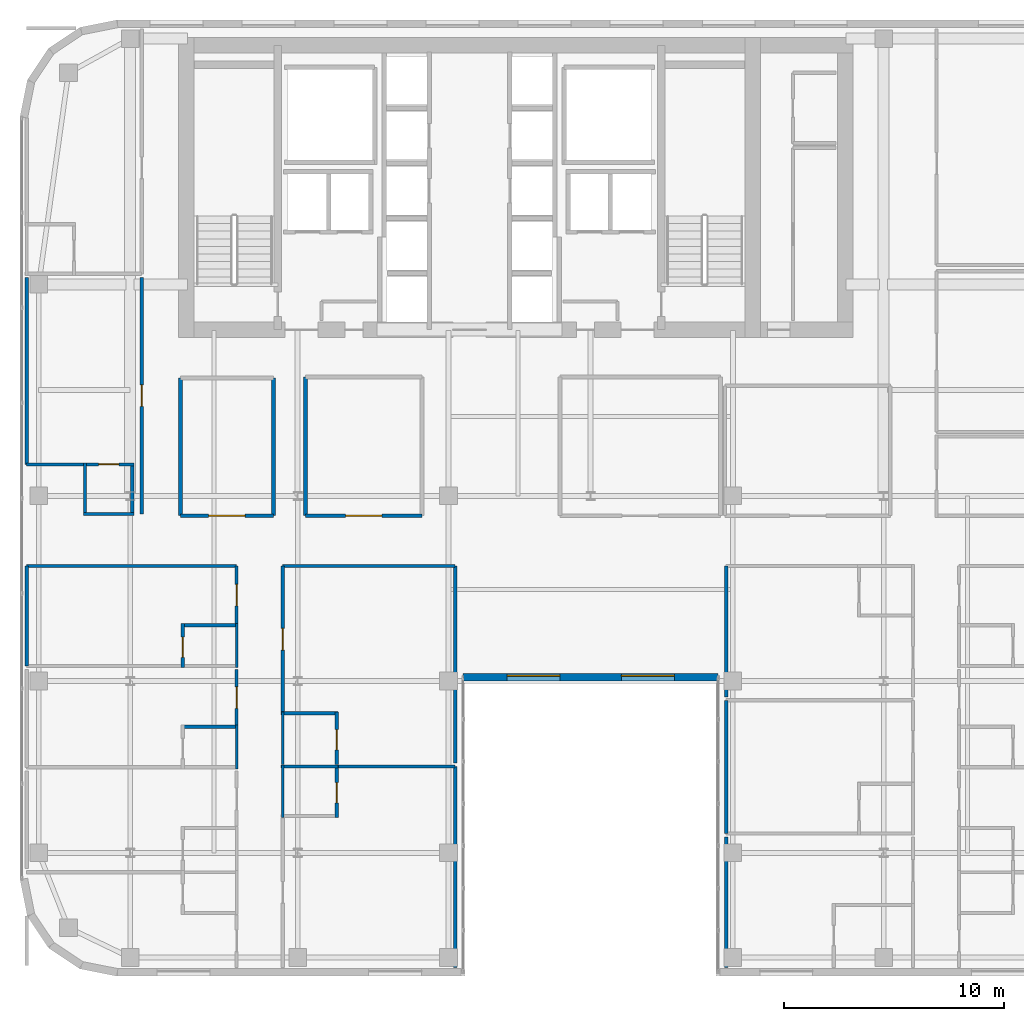
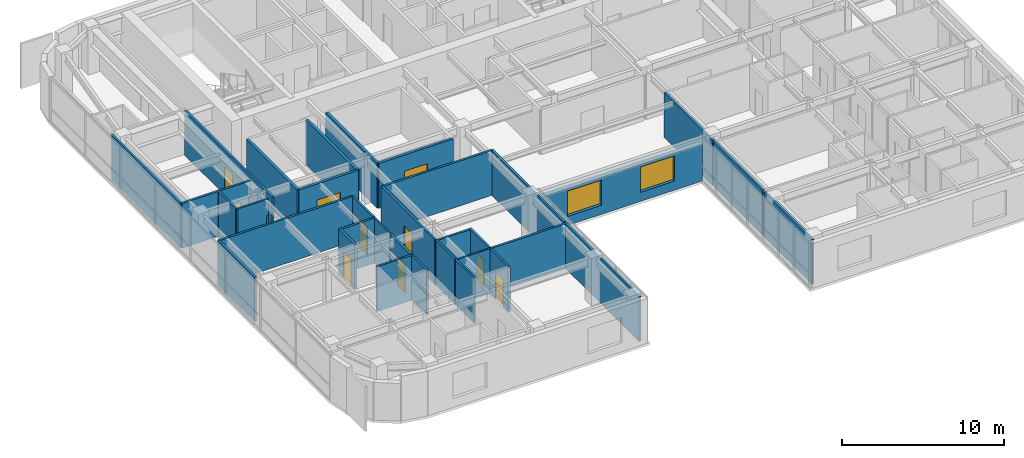
# One storey, part 18 of 24: 36 walls, 10 doors, 2 windows, 12 openings.
"""IFC4 building model written with IfcOpenShell, lengths in metres."""

from ifc_helpers import new_model, si_unit, direction, frame, frame_2d, origin, place, context, subcontext, project, spatial, rectangle, extrude, source, transform, mapped, material, layer, layer_set, type_object, type_shapes, element, fill, save


model = new_model("IFC4")

# Units and contexts
model_context = context("Model", 3, precision=1e-05, world=origin(), true_north=direction((0.0, 1.0)))
body_context = subcontext(model_context, "Body", "Model", "MODEL_VIEW")
ifc_project = project(units=[si_unit("LENGTHUNIT", "METRE"), si_unit("AREAUNIT", "SQUARE_METRE"), si_unit("VOLUMEUNIT", "CUBIC_METRE"), si_unit("PLANEANGLEUNIT", "RADIAN"), si_unit("MASSUNIT", "GRAM", prefix="KILO")], contexts=[model_context])

# Site, building, storey
site_placement = place(None, origin())
site = spatial("IfcSite", under=ifc_project, at=site_placement, CompositionType="ELEMENT")
building_placement = place(site_placement, origin())
building = spatial("IfcBuilding", under=site, at=building_placement, Name="Tolvann Quenvar Hotel", CompositionType="ELEMENT")
storey_placement = place(building_placement, frame((0.0, 0.0, 157.699951171875)))
storey = spatial("IfcBuildingStorey", under=building, at=storey_placement, Name="L41", CompositionType="ELEMENT", Elevation=157.699951171875)

# Wall, openings, windows
ifc_material_1 = material(Name="Kiln-fired red and buff architectural clay brickwork and terracotta masonry", Category="masonry")
ifc_layer_1 = layer(ifc_material_1, 0.35009765625)
ifc_layer_set_1 = layer_set([ifc_layer_1], Name="Kiln-fired red and buff architectural clay brickwork and terracotta masonry")
wall_type_1 = type_object("IfcWallType", Name="WALL_EXT_BRICK_350", PredefinedType="SOLIDWALL", material=ifc_layer_set_1)
wall_1_placement = place(storey_placement, frame((22.7099609375, 16.175048828125, 0.0), z_axis=(0.0, 0.0, 1.0), x_axis=(1.0, 0.0, 0.0)))
wall_1 = element("IfcWall", 1, at=wall_1_placement, inside=storey, type_object=wall_type_1, Name="Exterior Chicago Brick Wall L41-E06", PredefinedType="SOLIDWALL", context=body_context, shape_type="SweptSolid", body=[
    extrude(rectangle(XDim=11.580078125, YDim=0.35009765625, at=frame_2d((5.7900390625, 0.0))), origin(), (0.0, 0.0, 1.0), 2.758056640625),
])
opening_1_placement = place(wall_1_placement, frame((1.9951171875, 0.0, 0.679931640625)))
opening_1 = element("IfcOpeningElement", 2, at=opening_1_placement, cuts=wall_1, Name="Opening W-01", PredefinedType="OPENING", context=body_context, shape_type="SweptSolid", body=[
    extrude(rectangle(XDim=2.39990234375, YDim=1.89990234375, at=frame_2d((1.199951171875, 0.949951171875))), frame((0.0, 0.18505859375, 0.0), z_axis=(0.0, -1.0, 0.0), x_axis=(1.0, 0.0, 0.0)), (0.0, 0.0, 1.0), 0.3701171875),
])
opening_2_placement = place(wall_1_placement, frame((7.18505859375, 0.0, 0.679931640625)))
opening_2 = element("IfcOpeningElement", 3, at=opening_2_placement, cuts=wall_1, Name="Opening W-01", PredefinedType="OPENING", context=body_context, shape_type="SweptSolid", body=[
    extrude(rectangle(XDim=2.39990234375, YDim=1.89990234375, at=frame_2d((1.199951171875, 0.949951171875))), frame((0.0, 0.18505859375, 0.0), z_axis=(0.0, -1.0, 0.0), x_axis=(1.0, 0.0, 0.0)), (0.0, 0.0, 1.0), 0.3701171875),
])
ifc_material_2 = material(Name="Thermally broken bronze-anodised aluminium frame with double low-E glazing", Category="aluminium")
window_type = type_object("IfcWindowType", Name="WIN_CHI_2400x2050", PartitioningType="TRIPLE_PANEL_HORIZONTAL", PredefinedType="WINDOW", material=ifc_material_2)
shared_shape_1 = source(origin(), body_context, "Body", "SweptSolid", [
    extrude(rectangle(XDim=2.39990234375, YDim=1.89990234375, at=frame_2d((1.199951171875, 0.949951171875))), frame((0.0, 0.090087890625, 0.0), z_axis=(0.0, -1.0, 0.0), x_axis=(1.0, 0.0, 0.0)), (0.0, 0.0, 1.0), 0.06005859375),
])
type_shapes(window_type, [shared_shape_1])
window_1_placement = place(opening_1_placement, origin())
window_1 = element("IfcWindow", 4, at=window_1_placement, inside=storey, type_object=window_type, Name="Chicago Window W-01 (EW-L41-E06-W01)", OverallHeight=1.89990234375, OverallWidth=2.39990234375, PartitioningType="TRIPLE_PANEL_HORIZONTAL", PredefinedType="WINDOW", context=body_context, shape_type="MappedRepresentation", body=[
    mapped(shared_shape_1, transform((0.0, 0.0, 0.0), x_axis=(1.0, 0.0, 0.0), y_axis=(0.0, 1.0, 0.0), z_axis=(0.0, 0.0, 1.0), scale=1.0)),
])
fill(opening_1, window_1)
window_2_placement = place(opening_2_placement, origin())
window_2 = element("IfcWindow", 5, at=window_2_placement, inside=storey, type_object=window_type, Name="Chicago Window W-01 (EW-L41-E06-W02)", OverallHeight=1.89990234375, OverallWidth=2.39990234375, PartitioningType="TRIPLE_PANEL_HORIZONTAL", PredefinedType="WINDOW", context=body_context, shape_type="MappedRepresentation", body=[
    mapped(shared_shape_1, transform((0.0, 0.0, 0.0), x_axis=(1.0, 0.0, 0.0), y_axis=(0.0, 1.0, 0.0), z_axis=(0.0, 0.0, 1.0), scale=1.0)),
])
fill(opening_2, window_2)

# Wall, opening, door
ifc_material_3 = material(Name="Acoustic twin-stud fire-rated gypsum plasterboard partition")
ifc_layer_2 = layer(ifc_material_3, 0.179931640625)
ifc_layer_set_2 = layer_set([ifc_layer_2], Name="Acoustic twin-stud fire-rated gypsum plasterboard partition")
wall_type_2 = type_object("IfcWallType", Name="WALL_PART_ACOUSTIC_180", PredefinedType="PARTITIONING", material=ifc_layer_set_2)
wall_2_placement = place(storey_placement, frame((9.8798828125, 23.5, 0.0), z_axis=(0.0, 0.0, 1.0), x_axis=(1.0, 0.0, 0.0)))
wall_2 = element("IfcWall", 6, at=wall_2_placement, inside=storey, type_object=wall_type_2, Name="Interior Partition PT-SPC-L41-MSP-W-S", PredefinedType="PARTITIONING", context=body_context, shape_type="SweptSolid", body=[
    extrude(rectangle(XDim=4.22021484375, YDim=0.179931640625, at=frame_2d((2.110107421875, 0.0))), origin(), (0.0, 0.0, 1.0), 3.3701171875),
])
opening_3_placement = place(wall_2_placement, frame((1.284912109375, 0.0, 0.0)))
opening_3 = element("IfcOpeningElement", 7, at=opening_3_placement, cuts=wall_2, Name="Opening AD-01", PredefinedType="OPENING", context=body_context, shape_type="SweptSolid", body=[
    extrude(rectangle(XDim=1.64990234375, YDim=2.14990234375, at=frame_2d((0.824951171875, 1.074951171875))), frame((0.0, 0.10009765625, 0.0), z_axis=(0.0, -1.0, 0.0), x_axis=(1.0, 0.0, 0.0)), (0.0, 0.0, 1.0), 0.199951171875),
])
ifc_material_4 = material(Name="Solid-core American oak acoustic fire door leaf in steel frame", Category="steel")
door_type_1 = type_object("IfcDoorType", Name="DOOR_SALON_1650", OperationType="NOTDEFINED", PredefinedType="DOOR", material=ifc_material_4)
shared_shape_2 = source(origin(), body_context, "Body", "SweptSolid", [
    extrude(rectangle(XDim=1.64990234375, YDim=2.14990234375, at=frame_2d((0.824951171875, 1.074951171875))), frame((0.0, 0.02490234375, 0.0), z_axis=(0.0, -1.0, 0.0), x_axis=(1.0, 0.0, 0.0)), (0.0, 0.0, 1.0), 0.050048828125),
])
type_shapes(door_type_1, [shared_shape_2])
door_1_placement = place(opening_3_placement, origin())
door_1 = element("IfcDoor", 8, at=door_1_placement, inside=storey, type_object=door_type_1, Name="Interior Door DOOR-SPC-L41-MSP-W", OperationType="DOUBLE_DOOR_SINGLE_SWING", OverallHeight=2.14990234375, OverallWidth=1.64990234375, PredefinedType="DOOR", context=body_context, shape_type="MappedRepresentation", body=[
    mapped(shared_shape_2, transform((0.0, 0.0, 0.0), x_axis=(1.0, 0.0, 0.0), y_axis=(0.0, 1.0, 0.0), z_axis=(0.0, 0.0, 1.0), scale=1.0)),
])
fill(opening_3, door_1)

# Walls
for number, where, z_axis, x_axis, name in (
    (9, (9.8798828125, 23.5, 0.0), (0.0, 0.0, 1.0), (0.0, 1.0, 0.0), "Interior Partition PT-SPC-L41-MSP-W-W"),
    (10, (14.10009765625, 23.5, 0.0), (0.0, 0.0, 1.0), (0.0, 1.0, 0.0), "Interior Partition PT-SPC-L41-MSP-W-E"),
):
    element("IfcWall", number, at=place(storey_placement, frame(where, z_axis=z_axis, x_axis=x_axis)), inside=storey, type_object=wall_type_2, Name=name, PredefinedType="PARTITIONING", context=body_context, shape_type="SweptSolid", body=[
        extrude(rectangle(XDim=6.25, YDim=0.179931640625, at=frame_2d((3.125, 0.0))), origin(), (0.0, 0.0, 1.0), 3.3701171875),
    ])

# Wall, opening, door
wall_3_placement = place(storey_placement, frame((15.550048828125, 23.5, 0.0), z_axis=(0.0, 0.0, 1.0), x_axis=(1.0, 0.0, 0.0)))
wall_3 = element("IfcWall", 11, at=wall_3_placement, inside=storey, type_object=wall_type_2, Name="Interior Partition PT-SPC-L41-MSP-N-S", PredefinedType="PARTITIONING", context=body_context, shape_type="SweptSolid", body=[
    extrude(rectangle(XDim=5.300048828125, YDim=0.179931640625, at=frame_2d((2.64990234375, 0.0))), origin(), (0.0, 0.0, 1.0), 3.3701171875),
])
opening_4_placement = place(wall_3_placement, frame((1.824951171875, 0.0, 0.0)))
opening_4 = element("IfcOpeningElement", 12, at=opening_4_placement, cuts=wall_3, Name="Opening AD-01", PredefinedType="OPENING", context=body_context, shape_type="SweptSolid", body=[
    extrude(rectangle(XDim=1.64990234375, YDim=2.14990234375, at=frame_2d((0.824951171875, 1.074951171875))), frame((0.0, 0.10009765625, 0.0), z_axis=(0.0, -1.0, 0.0), x_axis=(1.0, 0.0, 0.0)), (0.0, 0.0, 1.0), 0.199951171875),
])
door_2_placement = place(opening_4_placement, origin())
door_2 = element("IfcDoor", 13, at=door_2_placement, inside=storey, type_object=door_type_1, Name="Interior Door DOOR-SPC-L41-MSP-N", OperationType="DOUBLE_DOOR_SINGLE_SWING", OverallHeight=2.14990234375, OverallWidth=1.64990234375, PredefinedType="DOOR", context=body_context, shape_type="MappedRepresentation", body=[
    mapped(shared_shape_2, transform((0.0, 0.0, 0.0), x_axis=(1.0, 0.0, 0.0), y_axis=(0.0, 1.0, 0.0), z_axis=(0.0, 0.0, 1.0), scale=1.0)),
])
fill(opening_4, door_2)

# Walls
wall_4_placement = place(storey_placement, frame((15.550048828125, 23.5, 0.0), z_axis=(0.0, 0.0, 1.0), x_axis=(0.0, 1.0, 0.0)))
element("IfcWall", 14, at=wall_4_placement, inside=storey, type_object=wall_type_2, Name="Interior Partition PT-SPC-L41-MSP-N-W", PredefinedType="PARTITIONING", context=body_context, shape_type="SweptSolid", body=[
    extrude(rectangle(XDim=6.300048828125, YDim=0.179931640625, at=frame_2d((3.14990234375, 0.0))), origin(), (0.0, 0.0, 1.0), 3.3701171875),
])
ifc_material_5 = material(Name="Moisture-resistant acoustic plumbing wall assembly")
ifc_layer_3 = layer(ifc_material_5, 0.1201171875)
ifc_layer_set_3 = layer_set([ifc_layer_3], Name="Moisture-resistant acoustic plumbing wall assembly")
wall_type_3 = type_object("IfcWallType", Name="WALL_PART_BATH_120", PredefinedType="PLUMBINGWALL", material=ifc_layer_set_3)
for number, where, z_axis, x_axis, name in (
    (15, (12.429931640625, 12.010009765625, 0.0), (0.0, 0.0, 1.0), (0.0, 1.0, 0.0), "Non-Rated Plumbing Partition PT-SPC-L41-ENS-WO03-E"),
    (16, (12.429931640625, 16.610107421875, 0.0), (0.0, 0.0, 1.0), (0.0, 1.0, 0.0), "Non-Rated Plumbing Partition PT-SPC-L41-ENS-WO04-E"),
):
    element("IfcWall", number, at=place(storey_placement, frame(where, z_axis=z_axis, x_axis=x_axis)), inside=storey, type_object=wall_type_3, Name=name, PredefinedType="PLUMBINGWALL", context=body_context, shape_type="SweptSolid", body=[
        extrude(rectangle(XDim=1.989990234375, YDim=0.1201171875, at=frame_2d((0.9951171875, 0.0))), origin(), (0.0, 0.0, 1.0), 3.3701171875),
    ])
wall_5_placement = place(storey_placement, frame((14.449951171875, 12.1201171875, 0.0), z_axis=(0.0, 0.0, 1.0), x_axis=(1.0, 0.0, 0.0)))
element("IfcWall", 17, at=wall_5_placement, inside=storey, type_object=wall_type_3, Name="Non-Rated Plumbing Partition PT-SPC-L41-ENS-WI01-N", PredefinedType="PLUMBINGWALL", context=body_context, shape_type="SweptSolid", body=[
    extrude(rectangle(XDim=2.590087890625, YDim=0.1201171875, at=frame_2d((1.294921875, 0.0))), origin(), (0.0, 0.0, 1.0), 3.3701171875),
])
wall_6_placement = place(storey_placement, frame((14.52001953125, 9.800048828125, 0.0), z_axis=(0.0, 0.0, 1.0), x_axis=(0.0, 1.0, 0.0)))
element("IfcWall", 18, at=wall_6_placement, inside=storey, type_object=wall_type_3, Name="Non-Rated Plumbing Partition PT-SPC-L41-ENS-WI01-W", PredefinedType="PLUMBINGWALL", context=body_context, shape_type="SweptSolid", body=[
    extrude(rectangle(XDim=2.389892578125, YDim=0.1201171875, at=frame_2d((1.19482421875, 0.0))), origin(), (0.0, 0.0, 1.0), 3.3701171875),
])
wall_7_placement = place(storey_placement, frame((14.52001953125, 12.2099609375, 0.0), z_axis=(0.0, 0.0, 1.0), x_axis=(0.0, 1.0, 0.0)))
element("IfcWall", 19, at=wall_7_placement, inside=storey, type_object=wall_type_3, Name="Non-Rated Plumbing Partition PT-SPC-L41-ENS-WI02-W", PredefinedType="PLUMBINGWALL", context=body_context, shape_type="SweptSolid", body=[
    extrude(rectangle(XDim=2.39013671875, YDim=0.1201171875, at=frame_2d((1.195068359375, 0.0))), origin(), (0.0, 0.0, 1.0), 3.3701171875),
])
wall_8_placement = place(storey_placement, frame((5.47998046875, 23.580078125, 0.0), z_axis=(0.0, 0.0, 1.0), x_axis=(1.0, 0.0, 0.0)))
element("IfcWall", 20, at=wall_8_placement, inside=storey, type_object=wall_type_3, Name="Non-Rated Plumbing Partition PT-SPC-L41-ENS-NW01-S", PredefinedType="PLUMBINGWALL", context=body_context, shape_type="SweptSolid", body=[
    extrude(rectangle(XDim=2.2900390625, YDim=0.1201171875, at=frame_2d((1.14501953125, 0.0))), origin(), (0.0, 0.0, 1.0), 3.3701171875),
])
wall_9_placement = place(storey_placement, frame((5.550048828125, 23.510009765625, 0.0), z_axis=(0.0, 0.0, 1.0), x_axis=(0.0, 1.0, 0.0)))
element("IfcWall", 21, at=wall_9_placement, inside=storey, type_object=wall_type_3, Name="Non-Rated Plumbing Partition PT-SPC-L41-ENS-NW01-W", PredefinedType="PLUMBINGWALL", context=body_context, shape_type="SweptSolid", body=[
    extrude(rectangle(XDim=2.389892578125, YDim=0.1201171875, at=frame_2d((1.19482421875, 0.0))), origin(), (0.0, 0.0, 1.0), 3.3701171875),
])
ifc_layer_4 = layer(ifc_material_3, 0.14990234375)
ifc_layer_set_4 = layer_set([ifc_layer_4], Name="Acoustic twin-stud fire-rated gypsum plasterboard partition")
wall_type_4 = type_object("IfcWallType", Name="WALL_PART_SUITE_150", PredefinedType="PARTITIONING", material=ifc_layer_set_4)
wall_10_placement = place(storey_placement, frame((9.909912109375, 13.929931640625, 0.0), z_axis=(0.0, 0.0, 1.0), x_axis=(1.0, 0.0, 0.0)))
element("IfcWall", 22, at=wall_10_placement, inside=storey, type_object=wall_type_4, Name="Interior Partition PT-SPC-L41-ENS-WO03-N", PredefinedType="PARTITIONING", context=body_context, shape_type="SweptSolid", body=[
    extrude(rectangle(XDim=2.590087890625, YDim=0.14990234375, at=frame_2d((1.294921875, 0.0))), origin(), (0.0, 0.0, 1.0), 3.3701171875),
])

# Wall, opening, door
wall_11_placement = place(storey_placement, frame((9.97998046875, 16.610107421875, 0.0), z_axis=(0.0, 0.0, 1.0), x_axis=(0.0, 1.0, 0.0)))
wall_11 = element("IfcWall", 23, at=wall_11_placement, inside=storey, type_object=wall_type_4, Name="Interior Partition PT-SPC-L41-ENS-WO04-ENT", PredefinedType="PARTITIONING", context=body_context, shape_type="SweptSolid", body=[
    extrude(rectangle(XDim=1.989990234375, YDim=0.14990234375, at=frame_2d((0.9951171875, 0.0))), origin(), (0.0, 0.0, 1.0), 3.3701171875),
])
opening_5_placement = place(wall_11_placement, frame((0.465087890625, 0.0, 0.0)))
opening_5 = element("IfcOpeningElement", 24, at=opening_5_placement, cuts=wall_11, Name="Opening WD-01", PredefinedType="OPENING", context=body_context, shape_type="SweptSolid", body=[
    extrude(rectangle(XDim=0.919921875, YDim=2.010009765625, at=frame_2d((0.4599609375, 1.0048828125))), frame((0.0, 0.0849609375, 0.0), z_axis=(0.0, -1.0, 0.0), x_axis=(1.0, 0.0, 0.0)), (0.0, 0.0, 1.0), 0.169921875),
])
door_type_2 = type_object("IfcDoorType", Name="DOOR_WC_920", OperationType="NOTDEFINED", PredefinedType="DOOR", material=ifc_material_4)
shared_shape_3 = source(origin(), body_context, "Body", "SweptSolid", [
    extrude(rectangle(XDim=0.919921875, YDim=2.010009765625, at=frame_2d((0.4599609375, 1.0048828125))), frame((0.0, 0.02490234375, 0.0), z_axis=(0.0, -1.0, 0.0), x_axis=(1.0, 0.0, 0.0)), (0.0, 0.0, 1.0), 0.050048828125),
])
type_shapes(door_type_2, [shared_shape_3])
door_3_placement = place(opening_5_placement, origin())
door_3 = element("IfcDoor", 25, at=door_3_placement, inside=storey, type_object=door_type_2, Name="Interior Door DOOR-SPC-L41-ENS-WO04", OperationType="SINGLE_SWING_RIGHT", OverallHeight=2.010009765625, OverallWidth=0.919921875, PredefinedType="DOOR", context=body_context, shape_type="MappedRepresentation", body=[
    mapped(shared_shape_3, transform((0.0, 0.0, 0.0), x_axis=(1.0, 0.0, 0.0), y_axis=(0.0, 1.0, 0.0), z_axis=(0.0, 0.0, 1.0), scale=1.0)),
])
fill(opening_5, door_3)

# Wall
wall_12_placement = place(storey_placement, frame((9.909912109375, 18.530029296875, 0.0), z_axis=(0.0, 0.0, 1.0), x_axis=(1.0, 0.0, 0.0)))
element("IfcWall", 26, at=wall_12_placement, inside=storey, type_object=wall_type_4, Name="Interior Partition PT-SPC-L41-ENS-WO04-N", PredefinedType="PARTITIONING", context=body_context, shape_type="SweptSolid", body=[
    extrude(rectangle(XDim=2.590087890625, YDim=0.14990234375, at=frame_2d((1.294921875, 0.0))), origin(), (0.0, 0.0, 1.0), 3.3701171875),
])

# Wall, opening, door
wall_13_placement = place(storey_placement, frame((16.969970703125, 9.800048828125, 0.0), z_axis=(0.0, 0.0, 1.0), x_axis=(0.0, 1.0, 0.0)))
wall_13 = element("IfcWall", 27, at=wall_13_placement, inside=storey, type_object=wall_type_4, Name="Interior Partition PT-SPC-L41-ENS-WI01-ENT", PredefinedType="PARTITIONING", context=body_context, shape_type="SweptSolid", body=[
    extrude(rectangle(XDim=2.389892578125, YDim=0.14990234375, at=frame_2d((1.19482421875, 0.0))), origin(), (0.0, 0.0, 1.0), 3.3701171875),
])
opening_6_placement = place(wall_13_placement, frame((0.6650390625, 0.0, 0.0)))
opening_6 = element("IfcOpeningElement", 28, at=opening_6_placement, cuts=wall_13, Name="Opening WD-01", PredefinedType="OPENING", context=body_context, shape_type="SweptSolid", body=[
    extrude(rectangle(XDim=0.919921875, YDim=2.010009765625, at=frame_2d((0.4599609375, 1.0048828125))), frame((0.0, 0.0849609375, 0.0), z_axis=(0.0, -1.0, 0.0), x_axis=(1.0, 0.0, 0.0)), (0.0, 0.0, 1.0), 0.169921875),
])
door_4_placement = place(opening_6_placement, origin())
door_4 = element("IfcDoor", 29, at=door_4_placement, inside=storey, type_object=door_type_2, Name="Interior Door DOOR-SPC-L41-ENS-WI01", OperationType="SINGLE_SWING_LEFT", OverallHeight=2.010009765625, OverallWidth=0.919921875, PredefinedType="DOOR", context=body_context, shape_type="MappedRepresentation", body=[
    mapped(shared_shape_3, transform((0.0, 0.0, 0.0), x_axis=(1.0, 0.0, 0.0), y_axis=(0.0, 1.0, 0.0), z_axis=(0.0, 0.0, 1.0), scale=1.0)),
])
fill(opening_6, door_4)

wall_14_placement = place(storey_placement, frame((16.969970703125, 12.2099609375, 0.0), z_axis=(0.0, 0.0, 1.0), x_axis=(0.0, 1.0, 0.0)))
wall_14 = element("IfcWall", 30, at=wall_14_placement, inside=storey, type_object=wall_type_4, Name="Interior Partition PT-SPC-L41-ENS-WI02-ENT", PredefinedType="PARTITIONING", context=body_context, shape_type="SweptSolid", body=[
    extrude(rectangle(XDim=2.39013671875, YDim=0.14990234375, at=frame_2d((1.195068359375, 0.0))), origin(), (0.0, 0.0, 1.0), 3.3701171875),
])
opening_7_placement = place(wall_14_placement, frame((0.6650390625, 0.0, 0.0)))
opening_7 = element("IfcOpeningElement", 31, at=opening_7_placement, cuts=wall_14, Name="Opening WD-01", PredefinedType="OPENING", context=body_context, shape_type="SweptSolid", body=[
    extrude(rectangle(XDim=0.919921875, YDim=2.010009765625, at=frame_2d((0.4599609375, 1.0048828125))), frame((0.0, 0.0849609375, 0.0), z_axis=(0.0, -1.0, 0.0), x_axis=(1.0, 0.0, 0.0)), (0.0, 0.0, 1.0), 0.169921875),
])
door_5_placement = place(opening_7_placement, origin())
door_5 = element("IfcDoor", 32, at=door_5_placement, inside=storey, type_object=door_type_2, Name="Interior Door DOOR-SPC-L41-ENS-WI02", OperationType="SINGLE_SWING_RIGHT", OverallHeight=2.010009765625, OverallWidth=0.919921875, PredefinedType="DOOR", context=body_context, shape_type="MappedRepresentation", body=[
    mapped(shared_shape_3, transform((0.0, 0.0, 0.0), x_axis=(1.0, 0.0, 0.0), y_axis=(0.0, 1.0, 0.0), z_axis=(0.0, 0.0, 1.0), scale=1.0)),
])
fill(opening_7, door_5)

# Walls
wall_15_placement = place(storey_placement, frame((14.449951171875, 14.530029296875, 0.0), z_axis=(0.0, 0.0, 1.0), x_axis=(1.0, 0.0, 0.0)))
element("IfcWall", 33, at=wall_15_placement, inside=storey, type_object=wall_type_4, Name="Interior Partition PT-SPC-L41-ENS-WI02-N", PredefinedType="PARTITIONING", context=body_context, shape_type="SweptSolid", body=[
    extrude(rectangle(XDim=2.590087890625, YDim=0.14990234375, at=frame_2d((1.294921875, 0.0))), origin(), (0.0, 0.0, 1.0), 3.3701171875),
])
wall_16_placement = place(storey_placement, frame((7.699951171875, 23.510009765625, 0.0), z_axis=(0.0, 0.0, 1.0), x_axis=(0.0, 1.0, 0.0)))
element("IfcWall", 34, at=wall_16_placement, inside=storey, type_object=wall_type_4, Name="Interior Partition PT-SPC-L41-ENS-NW01-ENT", PredefinedType="PARTITIONING", context=body_context, shape_type="SweptSolid", body=[
    extrude(rectangle(XDim=2.389892578125, YDim=0.14990234375, at=frame_2d((1.19482421875, 0.0))), origin(), (0.0, 0.0, 1.0), 2.16015625),
])

# Wall, opening, door
wall_17_placement = place(storey_placement, frame((5.47998046875, 25.830078125, 0.0), z_axis=(0.0, 0.0, 1.0), x_axis=(1.0, 0.0, 0.0)))
wall_17 = element("IfcWall", 35, at=wall_17_placement, inside=storey, type_object=wall_type_4, Name="Interior Partition PT-SPC-L41-ENS-NW01-N", PredefinedType="PARTITIONING", context=body_context, shape_type="SweptSolid", body=[
    extrude(rectangle(XDim=2.2900390625, YDim=0.14990234375, at=frame_2d((1.14501953125, 0.0))), origin(), (0.0, 0.0, 1.0), 3.3701171875),
])
opening_8_placement = place(wall_17_placement, frame((0.68505859375, 0.0, 0.0)))
opening_8 = element("IfcOpeningElement", 36, at=opening_8_placement, cuts=wall_17, Name="Opening WD-01", PredefinedType="OPENING", context=body_context, shape_type="SweptSolid", body=[
    extrude(rectangle(XDim=0.919921875, YDim=2.010009765625, at=frame_2d((0.4599609375, 1.0048828125))), frame((0.0, 0.0849609375, 0.0), z_axis=(0.0, -1.0, 0.0), x_axis=(1.0, 0.0, 0.0)), (0.0, 0.0, 1.0), 0.169921875),
])
door_6_placement = place(opening_8_placement, origin())
door_6 = element("IfcDoor", 37, at=door_6_placement, inside=storey, type_object=door_type_2, Name="Interior Door DOOR-SPC-L41-ENS-NW01", OperationType="SINGLE_SWING_RIGHT", OverallHeight=2.010009765625, OverallWidth=0.919921875, PredefinedType="DOOR", context=body_context, shape_type="MappedRepresentation", body=[
    mapped(shared_shape_3, transform((0.0, 0.0, 0.0), x_axis=(1.0, 0.0, 0.0), y_axis=(0.0, 1.0, 0.0), z_axis=(0.0, 0.0, 1.0), scale=1.0)),
])
fill(opening_8, door_6)

wall_18_placement = place(storey_placement, frame((12.429931640625, 14.010009765625, 0.0), z_axis=(0.0, 0.0, 1.0), x_axis=(0.0, 1.0, 0.0)))
wall_18 = element("IfcWall", 38, at=wall_18_placement, inside=storey, type_object=wall_type_4, Name="Interior Partition PT-SPC-L41-RM-WO03-ENT", PredefinedType="PARTITIONING", context=body_context, shape_type="SweptSolid", body=[
    extrude(rectangle(XDim=2.510009765625, YDim=0.14990234375, at=frame_2d((1.2548828125, 0.0))), origin(), (0.0, 0.0, 1.0), 3.3701171875),
])
opening_9_placement = place(wall_18_placement, frame((0.7451171875, 0.0, 0.0)))
opening_9 = element("IfcOpeningElement", 39, at=opening_9_placement, cuts=wall_18, Name="Opening SD-01", PredefinedType="OPENING", context=body_context, shape_type="SweptSolid", body=[
    extrude(rectangle(XDim=0.97998046875, YDim=2.1201171875, at=frame_2d((0.489990234375, 1.06005859375))), frame((0.0, 0.0849609375, 0.0), z_axis=(0.0, -1.0, 0.0), x_axis=(1.0, 0.0, 0.0)), (0.0, 0.0, 1.0), 0.169921875),
])
door_type_3 = type_object("IfcDoorType", Name="DOOR_SUITE_980", OperationType="NOTDEFINED", PredefinedType="DOOR", material=ifc_material_4)
shared_shape_4 = source(origin(), body_context, "Body", "SweptSolid", [
    extrude(rectangle(XDim=0.97998046875, YDim=2.1201171875, at=frame_2d((0.489990234375, 1.06005859375))), frame((0.0, 0.02490234375, 0.0), z_axis=(0.0, -1.0, 0.0), x_axis=(1.0, 0.0, 0.0)), (0.0, 0.0, 1.0), 0.050048828125),
])
type_shapes(door_type_3, [shared_shape_4])
door_7_placement = place(opening_9_placement, origin())
door_7 = element("IfcDoor", 40, at=door_7_placement, inside=storey, type_object=door_type_3, Name="Interior Door DOOR-SPC-L41-RM-WO03", OperationType="SINGLE_SWING_LEFT", OverallHeight=2.1201171875, OverallWidth=0.97998046875, PredefinedType="DOOR", context=body_context, shape_type="MappedRepresentation", body=[
    mapped(shared_shape_4, transform((0.0, 0.0, 0.0), x_axis=(1.0, 0.0, 0.0), y_axis=(0.0, 1.0, 0.0), z_axis=(0.0, 0.0, 1.0), scale=1.0)),
])
fill(opening_9, door_7)

wall_19_placement = place(storey_placement, frame((12.429931640625, 18.610107421875, 0.0), z_axis=(0.0, 0.0, 1.0), x_axis=(0.0, 1.0, 0.0)))
wall_19 = element("IfcWall", 41, at=wall_19_placement, inside=storey, type_object=wall_type_4, Name="Interior Partition PT-SPC-L41-RM-WO04-ENT", PredefinedType="PARTITIONING", context=body_context, shape_type="SweptSolid", body=[
    extrude(rectangle(XDim=2.60986328125, YDim=0.14990234375, at=frame_2d((1.304931640625, 0.0))), origin(), (0.0, 0.0, 1.0), 3.3701171875),
])
opening_10_placement = place(wall_19_placement, frame((0.794921875, 0.0, 0.0)))
opening_10 = element("IfcOpeningElement", 42, at=opening_10_placement, cuts=wall_19, Name="Opening SD-01", PredefinedType="OPENING", context=body_context, shape_type="SweptSolid", body=[
    extrude(rectangle(XDim=0.97998046875, YDim=2.1201171875, at=frame_2d((0.489990234375, 1.06005859375))), frame((0.0, 0.0849609375, 0.0), z_axis=(0.0, -1.0, 0.0), x_axis=(1.0, 0.0, 0.0)), (0.0, 0.0, 1.0), 0.169921875),
])
door_8_placement = place(opening_10_placement, origin())
door_8 = element("IfcDoor", 43, at=door_8_placement, inside=storey, type_object=door_type_3, Name="Interior Door DOOR-SPC-L41-RM-WO04", OperationType="SINGLE_SWING_RIGHT", OverallHeight=2.1201171875, OverallWidth=0.97998046875, PredefinedType="DOOR", context=body_context, shape_type="MappedRepresentation", body=[
    mapped(shared_shape_4, transform((0.0, 0.0, 0.0), x_axis=(1.0, 0.0, 0.0), y_axis=(0.0, 1.0, 0.0), z_axis=(0.0, 0.0, 1.0), scale=1.0)),
])
fill(opening_10, door_8)

# Walls
wall_20_placement = place(storey_placement, frame((2.89990234375, 21.219970703125, 0.0), z_axis=(0.0, 0.0, 1.0), x_axis=(1.0, 0.0, 0.0)))
element("IfcWall", 44, at=wall_20_placement, inside=storey, type_object=wall_type_4, Name="Interior Partition PT-SPC-L41-RM-WO04-E5", PredefinedType="PARTITIONING", context=body_context, shape_type="SweptSolid", body=[
    extrude(rectangle(XDim=9.530029296875, YDim=0.14990234375, at=frame_2d((4.76513671875, 0.0))), origin(), (0.0, 0.0, 1.0), 3.3701171875),
])
wall_21_placement = place(storey_placement, frame((2.89990234375, 16.679931640625, 0.0), z_axis=(0.0, 0.0, 1.0), x_axis=(0.0, 1.0, 0.0)))
element("IfcWall", 45, at=wall_21_placement, inside=storey, type_object=wall_type_4, Name="Interior Partition PT-SPC-L41-RM-WO04-E6", PredefinedType="PARTITIONING", context=body_context, shape_type="SweptSolid", body=[
    extrude(rectangle(XDim=4.5400390625, YDim=0.14990234375, at=frame_2d((2.27001953125, 0.0))), origin(), (0.0, 0.0, 1.0), 3.3701171875),
])
wall_22_placement = place(storey_placement, frame((22.35009765625, 3.0048828125, 0.0), z_axis=(0.0, 0.0, 1.0), x_axis=(0.0, 1.0, 0.0)))
element("IfcWall", 46, at=wall_22_placement, inside=storey, type_object=wall_type_4, Name="Interior Partition PT-SPC-L41-RM-WI01-E2", PredefinedType="PARTITIONING", context=body_context, shape_type="SweptSolid", body=[
    extrude(rectangle(XDim=9.115234375, YDim=0.14990234375, at=frame_2d((4.5576171875, 0.0))), origin(), (0.0, 0.0, 1.0), 3.3701171875),
])
wall_23_placement = place(storey_placement, frame((16.989990234375, 12.1201171875, 0.0), z_axis=(0.0, 0.0, 1.0), x_axis=(1.0, 0.0, 0.0)))
element("IfcWall", 47, at=wall_23_placement, inside=storey, type_object=wall_type_4, Name="Interior Partition PT-SPC-L41-RM-WI01-E3", PredefinedType="PARTITIONING", context=body_context, shape_type="SweptSolid", body=[
    extrude(rectangle(XDim=5.360107421875, YDim=0.14990234375, at=frame_2d((2.68017578125, 0.0))), origin(), (0.0, 0.0, 1.0), 3.3701171875),
])

# Wall, opening, door
wall_24_placement = place(storey_placement, frame((14.52001953125, 14.610107421875, 0.0), z_axis=(0.0, 0.0, 1.0), x_axis=(0.0, 1.0, 0.0)))
wall_24 = element("IfcWall", 48, at=wall_24_placement, inside=storey, type_object=wall_type_4, Name="Interior Partition PT-SPC-L41-RM-WI02-ENT", PredefinedType="PARTITIONING", context=body_context, shape_type="SweptSolid", body=[
    extrude(rectangle(XDim=6.60986328125, YDim=0.14990234375, at=frame_2d((3.304931640625, 0.0))), origin(), (0.0, 0.0, 1.0), 3.3701171875),
])
opening_11_placement = place(wall_24_placement, frame((2.794921875, 0.0, 0.0)))
opening_11 = element("IfcOpeningElement", 49, at=opening_11_placement, cuts=wall_24, Name="Opening SD-01", PredefinedType="OPENING", context=body_context, shape_type="SweptSolid", body=[
    extrude(rectangle(XDim=0.97998046875, YDim=2.1201171875, at=frame_2d((0.489990234375, 1.06005859375))), frame((0.0, 0.0849609375, 0.0), z_axis=(0.0, -1.0, 0.0), x_axis=(1.0, 0.0, 0.0)), (0.0, 0.0, 1.0), 0.169921875),
])
door_9_placement = place(opening_11_placement, origin())
door_9 = element("IfcDoor", 50, at=door_9_placement, inside=storey, type_object=door_type_3, Name="Interior Door DOOR-SPC-L41-RM-WI02", OperationType="SINGLE_SWING_RIGHT", OverallHeight=2.1201171875, OverallWidth=0.97998046875, PredefinedType="DOOR", context=body_context, shape_type="MappedRepresentation", body=[
    mapped(shared_shape_4, transform((0.0, 0.0, 0.0), x_axis=(1.0, 0.0, 0.0), y_axis=(0.0, 1.0, 0.0), z_axis=(0.0, 0.0, 1.0), scale=1.0)),
])
fill(opening_11, door_9)

# Walls
wall_25_placement = place(storey_placement, frame((22.35009765625, 12.280029296875, 0.0), z_axis=(0.0, 0.0, 1.0), x_axis=(0.0, 1.0, 0.0)))
element("IfcWall", 51, at=wall_25_placement, inside=storey, type_object=wall_type_4, Name="Interior Partition PT-SPC-L41-RM-WI02-E4", PredefinedType="PARTITIONING", context=body_context, shape_type="SweptSolid", body=[
    extrude(rectangle(XDim=8.93994140625, YDim=0.14990234375, at=frame_2d((4.469970703125, 0.0))), origin(), (0.0, 0.0, 1.0), 3.3701171875),
])
wall_26_placement = place(storey_placement, frame((14.52001953125, 21.219970703125, 0.0), z_axis=(0.0, 0.0, 1.0), x_axis=(1.0, 0.0, 0.0)))
element("IfcWall", 52, at=wall_26_placement, inside=storey, type_object=wall_type_4, Name="Interior Partition PT-SPC-L41-RM-WI02-E5", PredefinedType="PARTITIONING", context=body_context, shape_type="SweptSolid", body=[
    extrude(rectangle(XDim=7.830078125, YDim=0.14990234375, at=frame_2d((3.9150390625, 0.0))), origin(), (0.0, 0.0, 1.0), 3.3701171875),
])
wall_27_placement = place(storey_placement, frame((34.64990234375, 3.0048828125, 0.0), z_axis=(0.0, 0.0, 1.0), x_axis=(0.0, 1.0, 0.0)))
element("IfcWall", 53, at=wall_27_placement, inside=storey, type_object=wall_type_4, Name="Interior Partition PT-SPC-L41-RM-EI01-E6", PredefinedType="PARTITIONING", context=body_context, shape_type="SweptSolid", body=[
    extrude(rectangle(XDim=5.9150390625, YDim=0.14990234375, at=frame_2d((2.95751953125, 0.0))), origin(), (0.0, 0.0, 1.0), 3.3701171875),
])
wall_28_placement = place(storey_placement, frame((34.64990234375, 9.080078125, 0.0), z_axis=(0.0, 0.0, 1.0), x_axis=(0.0, 1.0, 0.0)))
element("IfcWall", 54, at=wall_28_placement, inside=storey, type_object=wall_type_4, Name="Interior Partition PT-SPC-L41-RM-EI02-E6", PredefinedType="PARTITIONING", context=body_context, shape_type="SweptSolid", body=[
    extrude(rectangle(XDim=6.0400390625, YDim=0.14990234375, at=frame_2d((3.02001953125, 0.0))), origin(), (0.0, 0.0, 1.0), 3.3701171875),
])
wall_29_placement = place(storey_placement, frame((34.64990234375, 15.280029296875, 0.0), z_axis=(0.0, 0.0, 1.0), x_axis=(0.0, 1.0, 0.0)))
element("IfcWall", 55, at=wall_29_placement, inside=storey, type_object=wall_type_4, Name="Interior Partition PT-SPC-L41-RM-EI03-E6", PredefinedType="PARTITIONING", context=body_context, shape_type="SweptSolid", body=[
    extrude(rectangle(XDim=5.93994140625, YDim=0.14990234375, at=frame_2d((2.969970703125, 0.0))), origin(), (0.0, 0.0, 1.0), 3.3701171875),
])

# Wall, opening, door
wall_30_placement = place(storey_placement, frame((8.1201171875, 23.580078125, 0.0), z_axis=(0.0, 0.0, 1.0), x_axis=(0.0, 1.0, 0.0)))
wall_30 = element("IfcWall", 56, at=wall_30_placement, inside=storey, type_object=wall_type_4, Name="Interior Partition PT-SPC-L41-RM-NW01-ENT", PredefinedType="PARTITIONING", context=body_context, shape_type="SweptSolid", body=[
    extrude(rectangle(XDim=10.739990234375, YDim=0.14990234375, at=frame_2d((5.3701171875, 0.0))), origin(), (0.0, 0.0, 1.0), 3.3701171875),
])
opening_12_placement = place(wall_30_placement, frame((4.8798828125, 0.0, 0.0)))
opening_12 = element("IfcOpeningElement", 57, at=opening_12_placement, cuts=wall_30, Name="Opening SD-01", PredefinedType="OPENING", context=body_context, shape_type="SweptSolid", body=[
    extrude(rectangle(XDim=0.97998046875, YDim=2.1201171875, at=frame_2d((0.489990234375, 1.06005859375))), frame((0.0, 0.0849609375, 0.0), z_axis=(0.0, -1.0, 0.0), x_axis=(1.0, 0.0, 0.0)), (0.0, 0.0, 1.0), 0.169921875),
])
door_10_placement = place(opening_12_placement, origin())
door_10 = element("IfcDoor", 58, at=door_10_placement, inside=storey, type_object=door_type_3, Name="Interior Door DOOR-SPC-L41-RM-NW01", OperationType="SINGLE_SWING_RIGHT", OverallHeight=2.1201171875, OverallWidth=0.97998046875, PredefinedType="DOOR", context=body_context, shape_type="MappedRepresentation", body=[
    mapped(shared_shape_4, transform((0.0, 0.0, 0.0), x_axis=(1.0, 0.0, 0.0), y_axis=(0.0, 1.0, 0.0), z_axis=(0.0, 0.0, 1.0), scale=1.0)),
])
fill(opening_12, door_10)

# Walls
wall_31_placement = place(storey_placement, frame((2.89990234375, 25.830078125, 0.0), z_axis=(0.0, 0.0, 1.0), x_axis=(0.0, 1.0, 0.0)))
element("IfcWall", 59, at=wall_31_placement, inside=storey, type_object=wall_type_4, Name="Interior Partition PT-SPC-L41-RM-NW01-E7", PredefinedType="PARTITIONING", context=body_context, shape_type="SweptSolid", body=[
    extrude(rectangle(XDim=8.489990234375, YDim=0.14990234375, at=frame_2d((4.2451171875, 0.0))), origin(), (0.0, 0.0, 1.0), 3.3701171875),
])
wall_32_placement = place(storey_placement, frame((2.89990234375, 25.830078125, 0.0), z_axis=(0.0, 0.0, 1.0), x_axis=(1.0, 0.0, 0.0)))
element("IfcWall", 60, at=wall_32_placement, inside=storey, type_object=wall_type_4, Name="Interior Partition PT-SPC-L41-RM-NW01-E8", PredefinedType="PARTITIONING", context=body_context, shape_type="SweptSolid", body=[
    extrude(rectangle(XDim=2.630126953125, YDim=0.14990234375, at=frame_2d((1.31494140625, 0.0))), origin(), (0.0, 0.0, 1.0), 3.3701171875),
])

save(model, "model.ifc")
